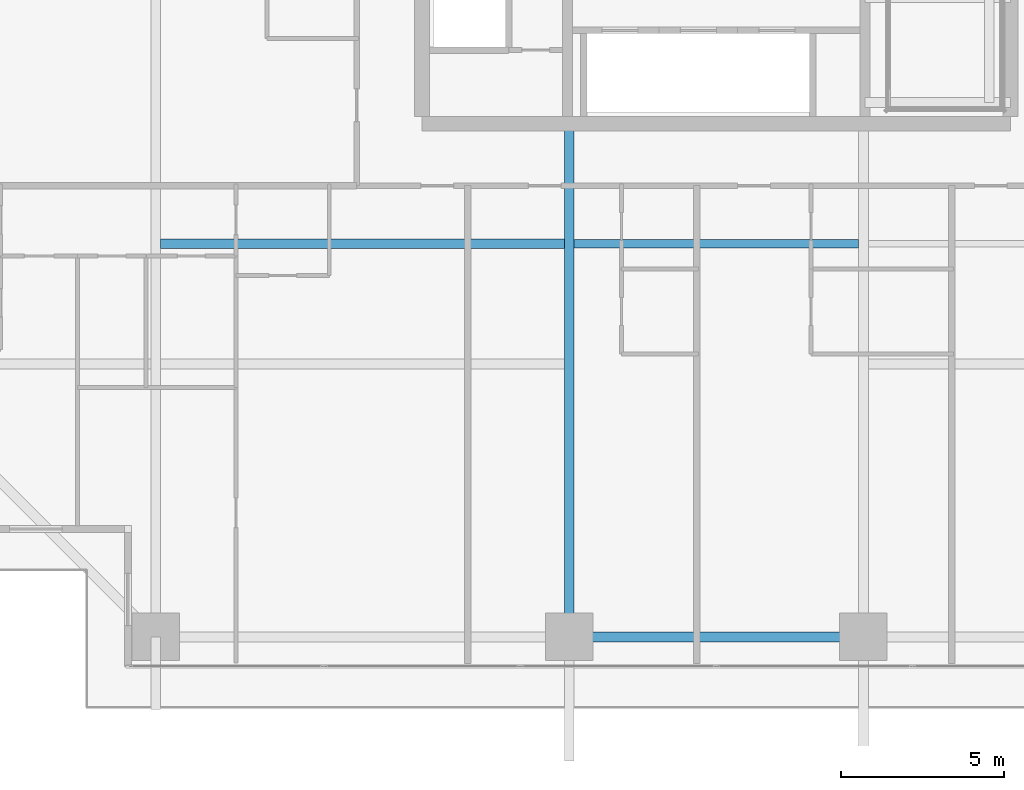
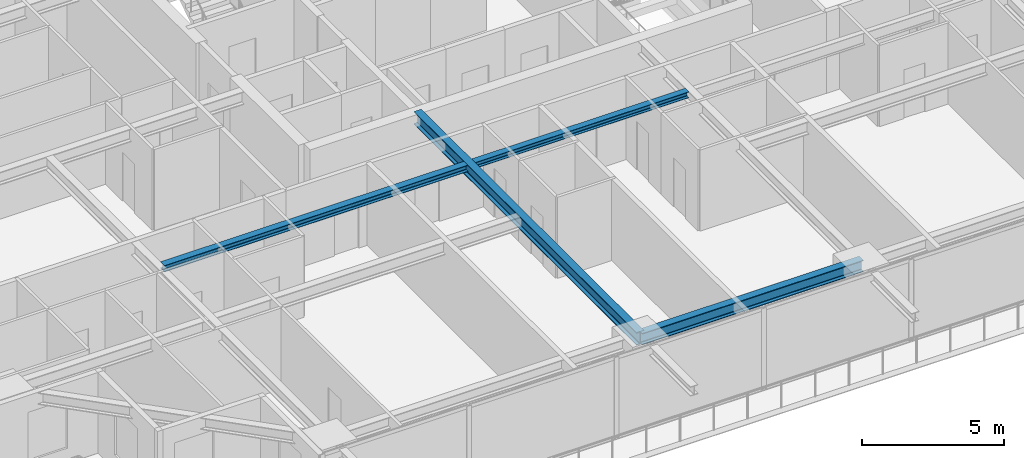
# One storey, part 5 of 35: 4 beams.
"""IFC4 building model written with IfcOpenShell, lengths in metres."""

from ifc_helpers import new_model, si_unit, direction, frame, origin, origin_2d, place, context, subcontext, project, spatial, i_section, extrude, source, transform, mapped, material, material_profile, profile_set, type_object, element, save


model = new_model("IFC4")

# Units and contexts
model_context = context("Model", 3, precision=1e-05, world=origin(), true_north=direction((0.0, 1.0)))
body_context = subcontext(model_context, "Body", "Model", "MODEL_VIEW")
ifc_project = project(units=[si_unit("LENGTHUNIT", "METRE"), si_unit("AREAUNIT", "SQUARE_METRE"), si_unit("VOLUMEUNIT", "CUBIC_METRE"), si_unit("PLANEANGLEUNIT", "RADIAN"), si_unit("MASSUNIT", "GRAM", prefix="KILO")], contexts=[model_context])

# Site, building, storey
site_placement = place(None, origin())
site = spatial("IfcSite", under=ifc_project, at=site_placement, CompositionType="ELEMENT")
building_placement = place(site_placement, origin())
building = spatial("IfcBuilding", under=site, at=building_placement, Name="Serunith Strait Residences", CompositionType="ELEMENT")
storey_placement = place(building_placement, frame((0.0, 0.0, 56.699951171875)))
storey = spatial("IfcBuildingStorey", under=building, at=storey_placement, Name="L13", CompositionType="ELEMENT", Elevation=56.699951171875)

# Beams
ifc_material = material(Name="Steel S355J2", Category="steel")
ifc_material_profile_1 = material_profile(ifc_material, i_section(OverallWidth=0.300048828125, OverallDepth=0.550048828125, WebThickness=0.014892578125, FlangeThickness=0.029052734375, FilletRadius=0.027099609375, at=origin_2d()), Name="HEB 550")
ifc_profile_set_1 = profile_set([ifc_material_profile_1], Name="Steel S355J2")
beam_type_1 = type_object("IfcBeamType", Name="BM-HEB550", PredefinedType="BEAM", material=ifc_profile_set_1)
shared_shape_1 = source(origin(), body_context, "Body", "SweptSolid", [
    extrude(i_section(OverallWidth=0.300048828125, OverallDepth=0.550048828125, WebThickness=0.014892578125, FlangeThickness=0.029052734375, FilletRadius=0.027099609375, at=origin_2d()), origin(), (0.0, 0.0, 1.0), 15.699951171875),
])
beam_1_placement = place(storey_placement, frame((27.89990234375, 16.800048828125, 3.212158203125), z_axis=(0.0, -1.0, 0.0), x_axis=(1.0, 0.0, 0.0)))
element("IfcBeam", 1, at=beam_1_placement, inside=storey, type_object=beam_type_1, Name="L13 Primary Floor Girder TC-S2", PredefinedType="BEAM", context=body_context, shape_type="MappedRepresentation", body=[
    mapped(shared_shape_1, transform((0.0, 0.0, 0.0), scale=1.0)),
])
ifc_material_profile_2 = material_profile(ifc_material, i_section(OverallWidth=0.300048828125, OverallDepth=0.5, WebThickness=0.014404296875, FlangeThickness=0.028076171875, FilletRadius=0.027099609375, at=origin_2d()), Name="HEB 500")
ifc_profile_set_2 = profile_set([ifc_material_profile_2], Name="Steel S355J2")
beam_type_2 = type_object("IfcBeamType", Name="BM-HEB500", PredefinedType="BEAM", material=ifc_profile_set_2)
shared_shape_2 = source(origin(), body_context, "Body", "SweptSolid", [
    extrude(i_section(OverallWidth=0.300048828125, OverallDepth=0.5, WebThickness=0.014404296875, FlangeThickness=0.028076171875, FilletRadius=0.027099609375, at=origin_2d()), origin(), (0.0, 0.0, 1.0), 9.0),
])
beam_2_placement = place(storey_placement, frame((27.89990234375, 1.10009765625, 3.237060546875), z_axis=(1.0, 0.0, 0.0), x_axis=(0.0, 1.0, 0.0)))
element("IfcBeam", 2, at=beam_2_placement, inside=storey, type_object=beam_type_2, Name="L13 Perimeter Ring Beam 02", PredefinedType="BEAM", context=body_context, shape_type="MappedRepresentation", body=[
    mapped(shared_shape_2, transform((0.0, 0.0, 0.0), scale=1.0)),
])
ifc_material_profile_3 = material_profile(ifc_material, i_section(OverallWidth=0.280029296875, OverallDepth=0.280029296875, WebThickness=0.010498046875, FlangeThickness=0.01806640625, FilletRadius=0.02392578125, at=origin_2d()), Name="HEB 280")
ifc_profile_set_3 = profile_set([ifc_material_profile_3], Name="Steel S355J2")
beam_type_3 = type_object("IfcBeamType", Name="BM-HEB280", PredefinedType="JOIST", material=ifc_profile_set_3)
shared_shape_3 = source(origin(), body_context, "Body", "SweptSolid", [
    extrude(i_section(OverallWidth=0.280029296875, OverallDepth=0.280029296875, WebThickness=0.010498046875, FlangeThickness=0.01806640625, FilletRadius=0.02392578125, at=origin_2d()), origin(), (0.0, 0.0, 1.0), 12.35009765625),
])
beam_3_placement = place(storey_placement, frame((15.39990234375, 13.125, 3.34716796875), z_axis=(1.0, 0.0, 0.0), x_axis=(0.0, 1.0, 0.0)))
element("IfcBeam", 3, at=beam_3_placement, inside=storey, type_object=beam_type_3, Name="L13 Composite Floor Joist 01", PredefinedType="JOIST", context=body_context, shape_type="MappedRepresentation", body=[
    mapped(shared_shape_3, transform((0.0, 0.0, 0.0), scale=1.0)),
])
ifc_material_profile_4 = material_profile(ifc_material, i_section(OverallWidth=0.260009765625, OverallDepth=0.260009765625, WebThickness=0.010009765625, FlangeThickness=0.017578125, FilletRadius=0.02392578125, at=origin_2d()), Name="HEB 260")
ifc_profile_set_4 = profile_set([ifc_material_profile_4], Name="Steel S355J2")
beam_type_4 = type_object("IfcBeamType", Name="BM-HEB260", PredefinedType="JOIST", material=ifc_profile_set_4)
shared_shape_4 = source(origin(), body_context, "Body", "SweptSolid", [
    extrude(i_section(OverallWidth=0.260009765625, OverallDepth=0.260009765625, WebThickness=0.010009765625, FlangeThickness=0.017578125, FilletRadius=0.02392578125, at=origin_2d()), origin(), (0.0, 0.0, 1.0), 8.699951171875),
])
beam_4_placement = place(storey_placement, frame((28.050048828125, 13.125, 3.35693359375), z_axis=(1.0, 0.0, 0.0), x_axis=(0.0, 1.0, 0.0)))
element("IfcBeam", 4, at=beam_4_placement, inside=storey, type_object=beam_type_4, Name="L13 Composite Floor Joist 02", PredefinedType="JOIST", context=body_context, shape_type="MappedRepresentation", body=[
    mapped(shared_shape_4, transform((0.0, 0.0, 0.0), scale=1.0)),
])

save(model, "model.ifc")
